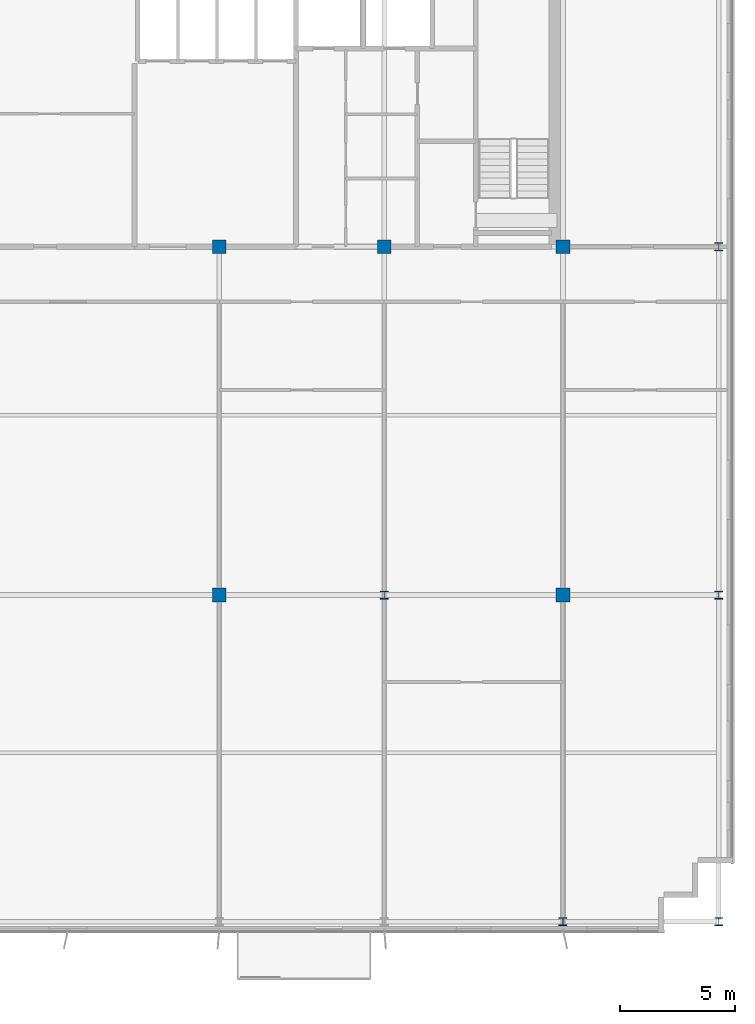
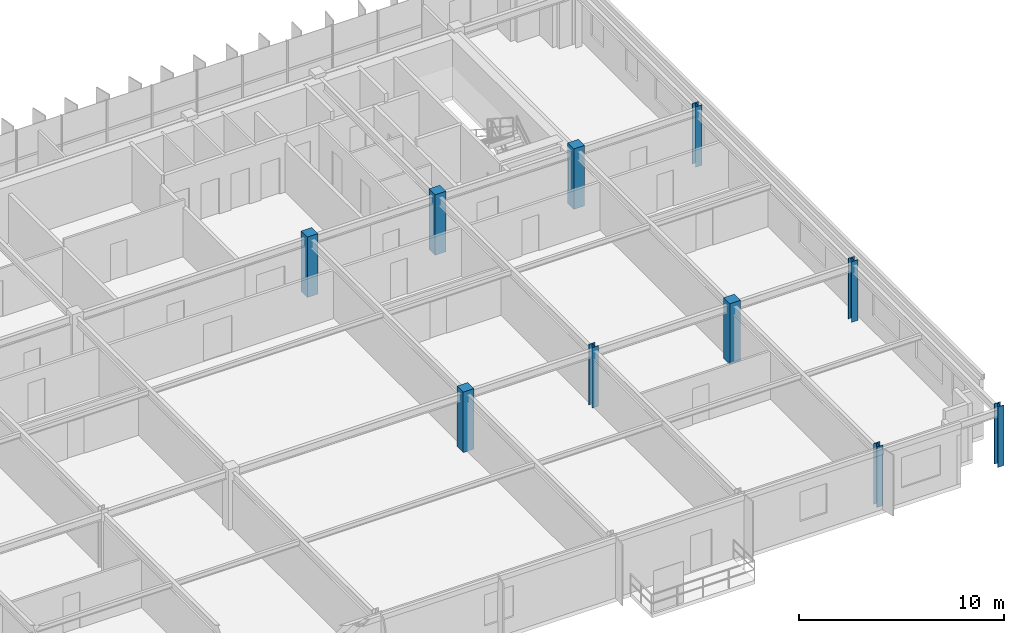
# One storey, part 2 of 21: 10 columns.
"""IFC4 building model written with IfcOpenShell, lengths in metres."""

from ifc_helpers import new_model, si_unit, direction, frame, origin, origin_2d, place, context, subcontext, project, spatial, rectangle, i_section, extrude, source, transform, mapped, material, material_profile, profile_set, type_object, element, save


model = new_model("IFC4")

# Units and contexts
model_context = context("Model", 3, precision=1e-05, world=origin(), true_north=direction((0.0, 1.0)))
body_context = subcontext(model_context, "Body", "Model", "MODEL_VIEW")
ifc_project = project(units=[si_unit("LENGTHUNIT", "METRE"), si_unit("AREAUNIT", "SQUARE_METRE"), si_unit("VOLUMEUNIT", "CUBIC_METRE"), si_unit("PLANEANGLEUNIT", "RADIAN"), si_unit("MASSUNIT", "GRAM", prefix="KILO")], contexts=[model_context])

# Site, building, storey
site_placement = place(None, origin())
site = spatial("IfcSite", under=ifc_project, at=site_placement, CompositionType="ELEMENT")
building_placement = place(site_placement, origin())
building = spatial("IfcBuilding", under=site, at=building_placement, Name="Trelvane Seafront Commons", CompositionType="ELEMENT")
storey_placement = place(building_placement, frame((0.0, 0.0, 255.89990234375)))
storey = spatial("IfcBuildingStorey", under=building, at=storey_placement, Name="L66", CompositionType="ELEMENT", Elevation=255.89990234375)

# Columns
ifc_material_1 = material(Name="Steel SM355 (S355)", Category="steel")
ifc_material_profile_1 = material_profile(ifc_material_1, i_section(OverallWidth=0.35009765625, OverallDepth=0.35009765625, WebThickness=0.01806640625, FlangeThickness=0.028076171875, at=origin_2d()), Name="HD-350x350x18x28")
ifc_profile_set_1 = profile_set([ifc_material_profile_1], Name="Steel SM355 (S355)")
column_type_1 = type_object("IfcColumnType", Name="STR-COL-HD350", PredefinedType="COLUMN", material=ifc_profile_set_1)
shared_shape_1 = source(origin(), body_context, "Body", "SweptSolid", [
    extrude(i_section(OverallWidth=0.35009765625, OverallDepth=0.35009765625, WebThickness=0.01806640625, FlangeThickness=0.028076171875, at=origin_2d()), origin(), (0.0, 0.0, 1.0), 3.60009765625),
])
for number, where, z_axis, x_axis, name in (
    (1, (51.0, 18.199951171875, 0.0), (0.0, 0.0, 1.0), (1.0, 0.0, 0.0), "L66 Column TC-M51.0"),
    (2, (58.800048828125, 3.949951171875, 0.0), (0.0, 0.0, 1.0), (1.0, 0.0, 0.0), "L66 Column TC-S58.8"),
    (3, (65.60009765625, 3.949951171875, 0.0), (0.0, 0.0, 1.0), (1.0, 0.0, 0.0), "L66 Column TC-S65.6"),
    (4, (65.60009765625, 18.199951171875, 0.0), (0.0, 0.0, 1.0), (1.0, 0.0, 0.0), "L66 Column TC-M65.6"),
    (5, (65.60009765625, 33.39990234375, 0.0), (0.0, 0.0, 1.0), (1.0, 0.0, 0.0), "L66 Column TC-CS65.6"),
):
    element("IfcColumn", number, at=place(storey_placement, frame(where, z_axis=z_axis, x_axis=x_axis)), inside=storey, type_object=column_type_1, Name=name, PredefinedType="COLUMN", context=body_context, shape_type="MappedRepresentation", body=[
        mapped(shared_shape_1, transform((0.0, 0.0, 0.0), x_axis=(1.0, 0.0, 0.0), y_axis=(0.0, 1.0, 0.0), z_axis=(0.0, 0.0, 1.0), scale=1.0)),
    ])
ifc_material_2 = material(Name="Concrete C50/60", Category="concrete")
ifc_material_profile_2 = material_profile(ifc_material_2, rectangle(XDim=0.60009765625, YDim=0.60009765625, at=origin_2d()), Name="RC-600x600")
ifc_profile_set_2 = profile_set([ifc_material_profile_2], Name="Concrete C50/60")
column_type_2 = type_object("IfcColumnType", Name="STR-COL-RC600", PredefinedType="COLUMN", material=ifc_profile_set_2)
shared_shape_2 = source(origin(), body_context, "Body", "SweptSolid", [
    extrude(rectangle(XDim=0.60009765625, YDim=0.60009765625, at=origin_2d()), origin(), (0.0, 0.0, 1.0), 3.60009765625),
])
for number, where, z_axis, x_axis, name in (
    (6, (43.800048828125, 18.199951171875, 0.0), (0.0, 0.0, 1.0), (1.0, 0.0, 0.0), "L66 Column TC-M43.8"),
    (7, (43.800048828125, 33.39990234375, 0.0), (0.0, 0.0, 1.0), (1.0, 0.0, 0.0), "L66 Column TC-CS43.8"),
    (8, (51.0, 33.39990234375, 0.0), (0.0, 0.0, 1.0), (1.0, 0.0, 0.0), "L66 Column TC-CS51.0"),
    (9, (58.800048828125, 18.199951171875, 0.0), (0.0, 0.0, 1.0), (1.0, 0.0, 0.0), "L66 Column TC-M58.8"),
    (10, (58.800048828125, 33.39990234375, 0.0), (0.0, 0.0, 1.0), (1.0, 0.0, 0.0), "L66 Column TC-CS58.8"),
):
    element("IfcColumn", number, at=place(storey_placement, frame(where, z_axis=z_axis, x_axis=x_axis)), inside=storey, type_object=column_type_2, Name=name, PredefinedType="COLUMN", context=body_context, shape_type="MappedRepresentation", body=[
        mapped(shared_shape_2, transform((0.0, 0.0, 0.0), x_axis=(1.0, 0.0, 0.0), y_axis=(0.0, 1.0, 0.0), z_axis=(0.0, 0.0, 1.0), scale=1.0)),
    ])

save(model, "model.ifc")
